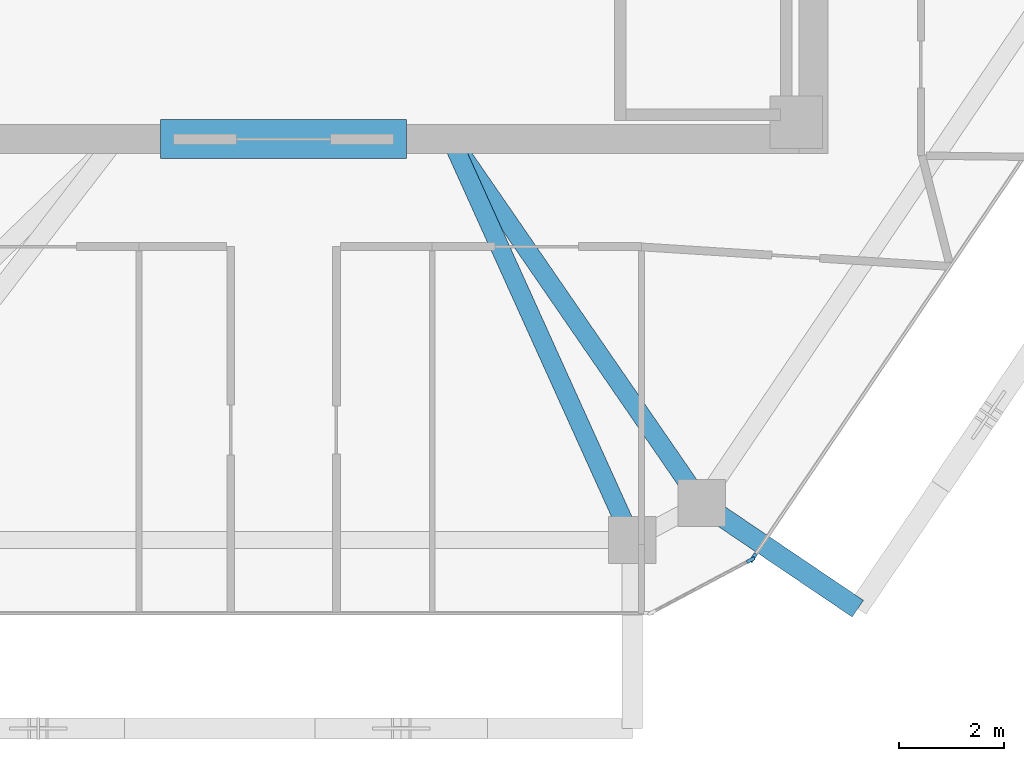
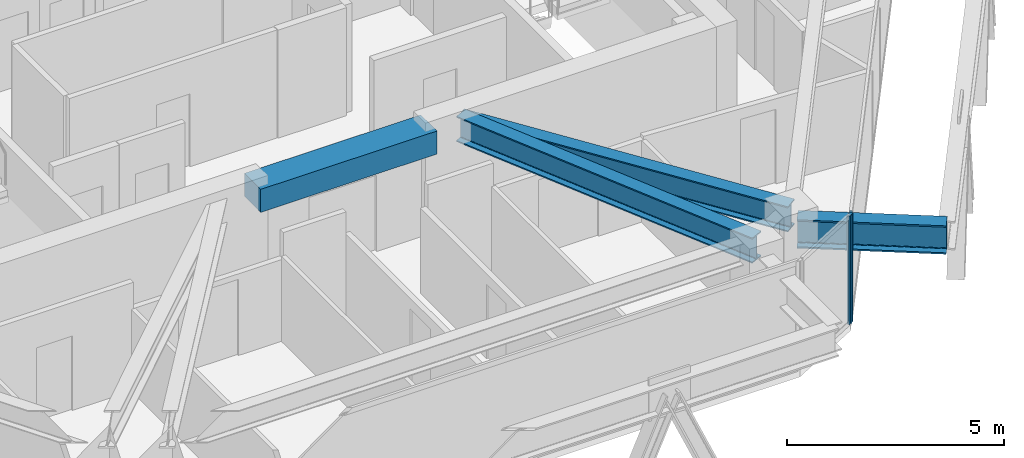
# One storey, part 3 of 13: 4 beams, 2 members, 2 elements without a shape of their own.
"""IFC4 building model written with IfcOpenShell, lengths in metres."""

from ifc_helpers import new_model, si_unit, direction, frame, origin, origin_2d, place, context, subcontext, project, spatial, rectangle, i_section, extrude, source, transform, mapped, material, layer, layer_set, material_profile, profile_set, type_object, type_shapes, element, aggregate, save


model = new_model("IFC4")

# Units and contexts
model_context = context("Model", 3, precision=1e-05, world=origin(), true_north=direction((0.0, 1.0)))
body_context = subcontext(model_context, "Body", "Model", "MODEL_VIEW")
ifc_project = project(units=[si_unit("LENGTHUNIT", "METRE"), si_unit("AREAUNIT", "SQUARE_METRE"), si_unit("VOLUMEUNIT", "CUBIC_METRE"), si_unit("PLANEANGLEUNIT", "RADIAN"), si_unit("MASSUNIT", "GRAM", prefix="KILO")], contexts=[model_context])

# Site, building, storey
site_placement = place(None, origin())
site = spatial("IfcSite", under=ifc_project, at=site_placement, CompositionType="ELEMENT")
building_placement = place(site_placement, origin())
building = spatial("IfcBuilding", under=site, at=building_placement, Name="Durnholm Broadcast Tower", CompositionType="ELEMENT")
storey_placement = place(building_placement, frame((0.0, 0.0, 248.0)))
storey = spatial("IfcBuildingStorey", under=building, at=storey_placement, Name="L69", CompositionType="ELEMENT", Elevation=248.0)

# Beams
ifc_material_1 = material(Name="Concrete C70/85", Category="concrete")
ifc_material_profile_1 = material_profile(ifc_material_1, rectangle(XDim=0.75, YDim=0.64990234375, at=origin_2d()), Name="RC750X650")
ifc_profile_set_1 = profile_set([ifc_material_profile_1], Name="Concrete C70/85")
beam_type_1 = type_object("IfcBeamType", Name="BM-CB-RC650", PredefinedType="LINTEL", material=ifc_profile_set_1)
shared_shape_1 = source(origin(), body_context, "Body", "SweptSolid", [
    extrude(rectangle(XDim=0.75, YDim=0.64990234375, at=origin_2d()), origin(), (0.0, 0.0, 1.0), 4.7001953125),
])
type_shapes(beam_type_1, [shared_shape_1])
beam_1_placement = place(storey_placement, frame((-2.35009765625, -8.125, 2.72998046875), z_axis=(1.0, 0.0, 0.0), x_axis=(0.0, 1.0, 0.0)))
element("IfcBeam", 1, at=beam_1_placement, inside=storey, type_object=beam_type_1, Name="L69 south core coupling lintel beam CB-S", PredefinedType="LINTEL", context=body_context, shape_type="MappedRepresentation", body=[
    mapped(shared_shape_1, transform((0.0, 0.0, 0.0), x_axis=(1.0, 0.0, 0.0), y_axis=(0.0, 1.0, 0.0), z_axis=(0.0, 0.0, 1.0), scale=1.0)),
])
ifc_material_2 = material(Name="Steel ASTM A992 Grade 50", Category="steel")
ifc_material_profile_2 = material_profile(ifc_material_2, i_section(OverallWidth=0.385009765625, OverallDepth=0.802978515625, WebThickness=0.023681640625, FlangeThickness=0.0419921875, FilletRadius=0.032958984375, at=origin_2d()), Name="W30X261")
ifc_profile_set_2 = profile_set([ifc_material_profile_2], Name="Steel ASTM A992 Grade 50")
beam_type_2 = type_object("IfcBeamType", Name="BM-EXO-TIE", PredefinedType="USERDEFINED", material=ifc_profile_set_2)
shared_shape_2 = source(origin(), body_context, "Body", "SweptSolid", [
    extrude(i_section(OverallWidth=0.385009765625, OverallDepth=0.802978515625, WebThickness=0.023681640625, FlangeThickness=0.0419921875, FilletRadius=0.032958984375, at=origin_2d()), origin(), (0.0, 0.0, 1.0), 3.4560546875),
])
type_shapes(beam_type_2, [shared_shape_2])
beam_2_placement = place(storey_placement, frame((8.110107421875, -15.161865234375, 2.30859375), z_axis=(0.828468499792, -0.560035663911, 0.0), x_axis=(0.560035663911, 0.828468499792, 0.0)))
element("IfcBeam", 2, at=beam_2_placement, inside=storey, type_object=beam_type_2, Name="L69 exoskeleton stand-off tie bracket F2.1", ObjectType="GIRDER", PredefinedType="USERDEFINED", context=body_context, shape_type="MappedRepresentation", body=[
    mapped(shared_shape_2, transform((0.0, 0.0, 0.0), x_axis=(1.0, 0.0, 0.0), y_axis=(0.0, 1.0, 0.0), z_axis=(0.0, 0.0, 1.0), scale=1.0)),
])
ifc_material_profile_3 = material_profile(ifc_material_2, i_section(OverallWidth=0.3564453125, OverallDepth=0.713623046875, WebThickness=0.01904296875, FlangeThickness=0.033935546875, FilletRadius=0.030517578125, at=origin_2d()), Name="W27X194")
ifc_profile_set_3 = profile_set([ifc_material_profile_3], Name="Steel ASTM A992 Grade 50")
beam_type_3 = type_object("IfcBeamType", Name="STL-GR-W27X194", PredefinedType="USERDEFINED", material=ifc_profile_set_3)
shared_shape_3 = source(origin(), body_context, "Body", "SweptSolid", [
    extrude(i_section(OverallWidth=0.3564453125, OverallDepth=0.713623046875, WebThickness=0.01904296875, FlangeThickness=0.033935546875, FilletRadius=0.030517578125, at=origin_2d()), origin(), (0.0, 0.0, 1.0), 8.446533203125),
])
beam_3_placement = place(storey_placement, frame((3.199951171875, -8.125, 2.688232421875), z_axis=(0.567216806915, -0.823568511997, 0.0), x_axis=(0.823568511997, 0.567216806915, 0.0)))
element("IfcBeam", 3, at=beam_3_placement, inside=storey, type_object=beam_type_3, Name="L69 radial primary floor girder 10", ObjectType="GIRDER", PredefinedType="USERDEFINED", context=body_context, shape_type="MappedRepresentation", body=[
    mapped(shared_shape_3, transform((0.0, 0.0, 0.0), x_axis=(1.0, 0.0, 0.0), y_axis=(0.0, 1.0, 0.0), z_axis=(0.0, 0.0, 1.0), scale=1.0)),
])
shared_shape_4 = source(origin(), body_context, "Body", "SweptSolid", [
    extrude(i_section(OverallWidth=0.3564453125, OverallDepth=0.713623046875, WebThickness=0.01904296875, FlangeThickness=0.033935546875, FilletRadius=0.030517578125, at=origin_2d()), origin(), (0.0, 0.0, 1.0), 8.407470703125),
])
type_shapes(beam_type_3, [shared_shape_3, shared_shape_4])
beam_4_placement = place(storey_placement, frame((3.199951171875, -8.125, 2.688232421875), z_axis=(0.411992813642, -0.911187094678, 0.0), x_axis=(0.911187094678, 0.411992813642, 0.0)))
element("IfcBeam", 4, at=beam_4_placement, inside=storey, type_object=beam_type_3, Name="L69 radial primary floor girder 11", ObjectType="GIRDER", PredefinedType="USERDEFINED", context=body_context, shape_type="MappedRepresentation", body=[
    mapped(shared_shape_4, transform((0.0, 0.0, 0.0), x_axis=(1.0, 0.0, 0.0), y_axis=(0.0, 1.0, 0.0), z_axis=(0.0, 0.0, 1.0), scale=1.0)),
])

# Curtain wall, member
ifc_material_3 = material(Name="Aluminium and Solar Control IGU", Category="aluminium")
ifc_layer_1 = layer(ifc_material_3, 0.1650390625)
ifc_layer_set_1 = layer_set([ifc_layer_1], Name="Aluminium and Solar Control IGU")
curtain_wall_type_1 = type_object("IfcCurtainWallType", Name="CW-SYS-5", PredefinedType="NOTDEFINED", material=ifc_layer_set_1)
curtain_wall_1_placement = place(storey_placement, origin())
curtain_wall_1 = element("IfcCurtainWall", 5, at=curtain_wall_1_placement, inside=storey, type_object=curtain_wall_type_1, Name="L69 curtain wall CW-CORNER CW-L69-CRN-09", PredefinedType="NOTDEFINED")
ifc_material_4 = material(Name="Aluminium 6063-T6", Category="aluminium")
ifc_material_profile_4 = material_profile(ifc_material_4, rectangle(XDim=0.06494140625, YDim=0.1650390625, at=origin_2d()), Name="CWM65X165")
ifc_profile_set_4 = profile_set([ifc_material_profile_4], Name="Aluminium 6063-T6")
member_type_1 = type_object("IfcMemberType", Name="CW-SYS-5-MUL", PredefinedType="MULLION", material=ifc_profile_set_4)
shared_shape_5 = source(origin(), body_context, "Body", "SweptSolid", [
    extrude(rectangle(XDim=0.06494140625, YDim=0.1650390625, at=origin_2d()), origin(), (0.0, 0.0, 1.0), 3.06005859375),
])
type_shapes(member_type_1, [shared_shape_5])
member_1_placement = place(storey_placement, frame((8.9267578125, -16.16943359375, 0.0), z_axis=(0.0, 0.0, 1.0), x_axis=(0.469006771575, -0.883194569853, 0.0)))
member_1 = element("IfcMember", 6, at=member_1_placement, type_object=member_type_1, Name="CW-CORNER mullion 1", PredefinedType="MULLION", context=body_context, shape_type="MappedRepresentation", body=[
    mapped(shared_shape_5, transform((0.0, 0.0, 0.0), x_axis=(1.0, 0.0, 0.0), y_axis=(0.0, 1.0, 0.0), z_axis=(0.0, 0.0, 1.0), scale=1.0)),
])
aggregate(curtain_wall_1, [member_1])

ifc_layer_2 = layer(ifc_material_3, 0.18994140625)
ifc_layer_set_2 = layer_set([ifc_layer_2], Name="Aluminium and Solar Control IGU")
curtain_wall_type_2 = type_object("IfcCurtainWallType", Name="CW-SYS-4", PredefinedType="NOTDEFINED", material=ifc_layer_set_2)
curtain_wall_2_placement = place(storey_placement, origin())
curtain_wall_2 = element("IfcCurtainWall", 7, at=curtain_wall_2_placement, inside=storey, type_object=curtain_wall_type_2, Name="L69 curtain wall CW-Z34-VIS CW-L69-F08", PredefinedType="NOTDEFINED")
ifc_material_profile_5 = material_profile(ifc_material_4, rectangle(XDim=0.070068359375, YDim=0.18994140625, at=origin_2d()), Name="CWM70X190")
ifc_profile_set_5 = profile_set([ifc_material_profile_5], Name="Aluminium 6063-T6")
member_type_2 = type_object("IfcMemberType", Name="CW-SYS-4-MUL", PredefinedType="MULLION", material=ifc_profile_set_5)
shared_shape_6 = source(origin(), body_context, "Body", "SweptSolid", [
    extrude(rectangle(XDim=0.070068359375, YDim=0.18994140625, at=origin_2d()), origin(), (0.0, 0.0, 1.0), 3.06005859375),
])
type_shapes(member_type_2, [shared_shape_6])
member_2_placement = place(storey_placement, frame((8.97509765625, -16.125244140625, 0.0), z_axis=(0.0, 0.0, 1.0), x_axis=(0.828443431662, -0.560072745753, 0.0)))
member_2 = element("IfcMember", 8, at=member_2_placement, type_object=member_type_2, Name="CW-Z34-VIS mullion 2", PredefinedType="MULLION", context=body_context, shape_type="MappedRepresentation", body=[
    mapped(shared_shape_6, transform((0.0, 0.0, 0.0), x_axis=(1.0, 0.0, 0.0), y_axis=(0.0, 1.0, 0.0), z_axis=(0.0, 0.0, 1.0), scale=1.0)),
])
aggregate(curtain_wall_2, [member_2])

save(model, "model.ifc")
